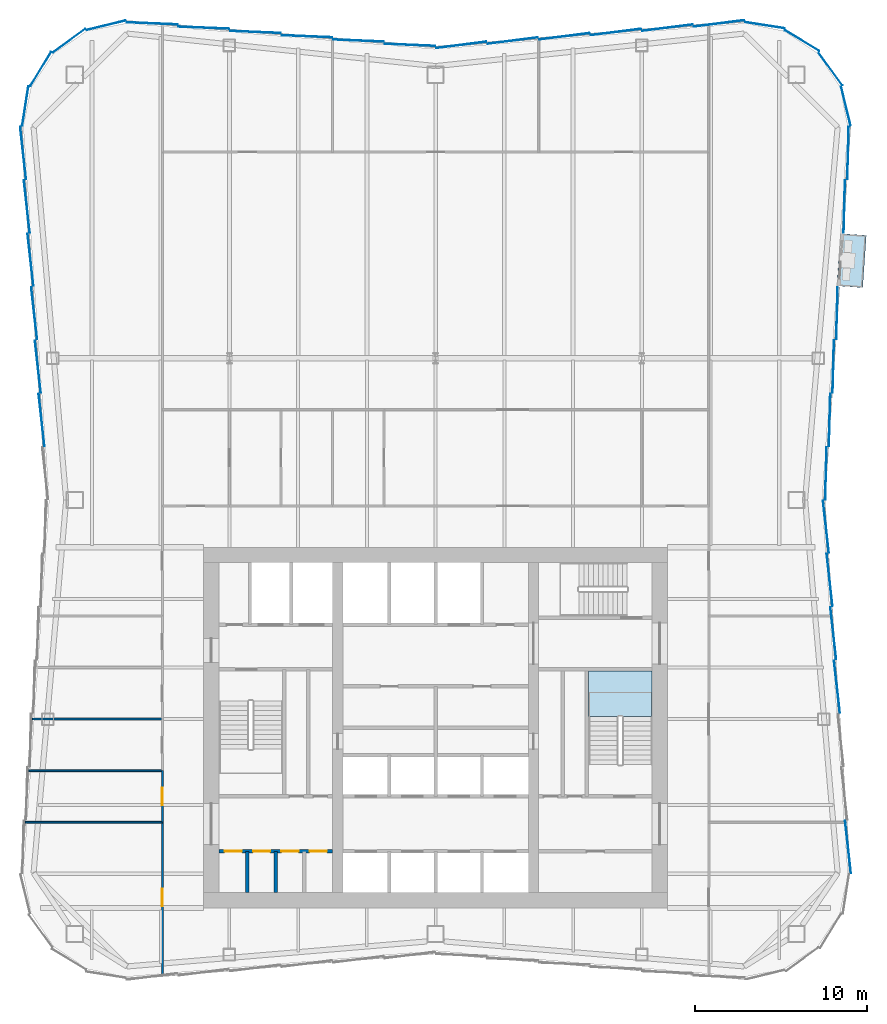
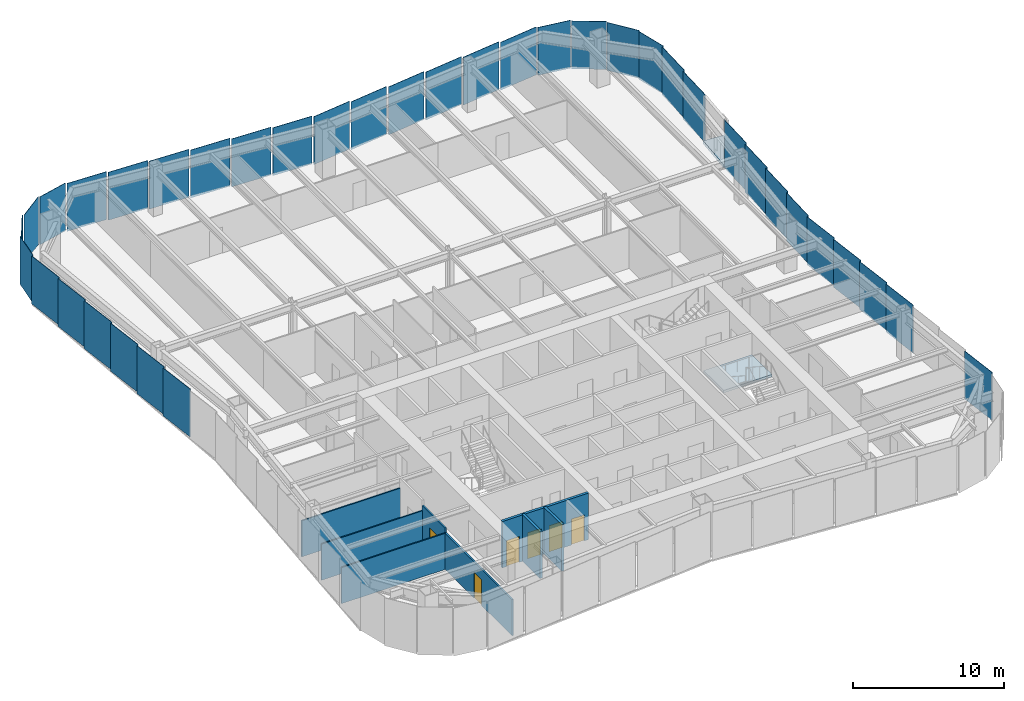
# One storey, part 4 of 10: 37 plates, 8 walls, 6 doors, 2 slabs, 6 openings, 6 elements without a shape of their own.
"""IFC4 building model written with IfcOpenShell, lengths in metres."""

import ifcopenshell
import ifcopenshell.guid

model = None  # the IFC model being written
_history = None  # IfcOwnerHistory: only IFC2X3 demands one
_inside = {}  # id of a spatial element -> (the spatial element, [elements in it])
_under = {}  # id of a project, library or spatial element -> (it, [spatial elements below it])
_declared = {}  # id of a project -> (the project, [libraries it declares])
_typed = {}  # id of a type object -> (the type object, [elements of that type])
_made_of = {}  # id of a material, layer set ... -> (it, [elements and type objects made of it])


def new_model(schema):
    """Start an empty IFC model of exactly this schema.

    Asked for "IFC4X3", IfcOpenShell would pick the latest addendum, in which some entities
    have other attributes; the version numbers below select the first issue.
    IFC2X3 requires an IfcOwnerHistory on every rooted entity: one is made here for all.
    """
    global model, _history
    if schema == "IFC4X3":
        model = ifcopenshell.file(schema_version=(4, 3, 0, 0))
    else:
        model = ifcopenshell.file(schema=schema)
    _inside.clear()
    _under.clear()
    _declared.clear()
    _typed.clear()
    _made_of.clear()
    _history = None
    if model.schema == "IFC2X3":
        org = make("IfcOrganization", Name="unknown")
        user = make(
            "IfcPersonAndOrganization",
            ThePerson=make("IfcPerson", FamilyName="unknown"),
            TheOrganization=org,
        )
        app = make(
            "IfcApplication",
            ApplicationDeveloper=org,
            Version="unknown",
            ApplicationFullName="unknown",
            ApplicationIdentifier="unknown",
        )
        _history = make(
            "IfcOwnerHistory",
            OwningUser=user,
            OwningApplication=app,
            ChangeAction="ADDED",
            CreationDate=0,
        )
    return model


def make(cls, **values):
    """One entity of the class cls with the attributes given. An attribute that is None is left unset."""
    return model.create_entity(
        cls, **{name: value for name, value in values.items() if value is not None}
    )


def rooted(cls, **values):
    """An entity with a GlobalId (a new one), such as an element, a storey or a relation."""
    return make(cls, GlobalId=ifcopenshell.guid.new(), OwnerHistory=_history, **values)


def si_unit(unit_type, name, prefix=None):
    """IfcSIUnit, for example si_unit("LENGTHUNIT", "METRE", prefix="MILLI")."""
    return make("IfcSIUnit", UnitType=unit_type, Prefix=prefix, Name=name)


def assignment(units):
    """IfcUnitAssignment: the units of a project."""
    return None if units is None else make("IfcUnitAssignment", Units=units)


def point(xyz):
    """IfcCartesianPoint."""
    return None if xyz is None else make("IfcCartesianPoint", Coordinates=xyz)


def direction(xyz):
    """IfcDirection."""
    return None if xyz is None else make("IfcDirection", DirectionRatios=xyz)


def frame(location, z_axis=None, x_axis=None):
    """IfcAxis2Placement3D, a coordinate frame: its origin and axes. An axis left out is left unset."""
    return make(
        "IfcAxis2Placement3D",
        Location=point(location),
        Axis=direction(z_axis),
        RefDirection=direction(x_axis),
    )


def frame_2d(location, x_axis=None):
    """IfcAxis2Placement2D, a coordinate frame in the plane: its origin and x axis."""
    return make(
        "IfcAxis2Placement2D", Location=point(location), RefDirection=direction(x_axis)
    )


def origin():
    """The frame at (0, 0, 0) with its axes left unset."""
    return frame((0.0, 0.0, 0.0))


def origin_2d():
    """The frame at (0, 0) in the plane with its x axis left unset."""
    return frame_2d((0.0, 0.0))


def place(relative_to, where):
    """IfcLocalPlacement: puts the frame where relative to a parent placement (None: the world)."""
    return make(
        "IfcLocalPlacement", PlacementRelTo=relative_to, RelativePlacement=where
    )


def context(
    kind, dimensions, precision=None, world=None, true_north=None, identifier=None
):
    """IfcGeometricRepresentationContext, for example the 3D "Model" context."""
    return make(
        "IfcGeometricRepresentationContext",
        ContextIdentifier=identifier,
        ContextType=kind,
        CoordinateSpaceDimension=dimensions,
        Precision=precision,
        WorldCoordinateSystem=world,
        TrueNorth=true_north,
    )


def subcontext(parent, identifier, kind, view, scale=None):
    """IfcGeometricRepresentationSubContext, for example "Body" below "Model"."""
    return make(
        "IfcGeometricRepresentationSubContext",
        ContextIdentifier=identifier,
        ContextType=kind,
        ParentContext=parent,
        TargetScale=scale,
        TargetView=view,
    )


def project(units=None, contexts=None):
    """IfcProject with its units and contexts."""
    return rooted(
        "IfcProject",
        Name="project",
        RepresentationContexts=contexts,
        UnitsInContext=assignment(units),
    )


def spatial(cls, under=None, at=None, **own):
    """A site, building, storey or space (cls), placed at a placement, below another one or the project."""
    s = rooted(cls, ObjectPlacement=at, **own)
    if under is not None:
        _under.setdefault(under.id(), (under, []))[1].append(s)
    return s


def polyline(points):
    """IfcPolyline through the points."""
    return make("IfcPolyline", Points=[point(p) for p in points])


def profile(cls, at=None, kind="AREA", **sizes):
    """A parametric profile (cls). Its sizes go by their IFC names, for example OverallWidth=200.0."""
    return make(cls, ProfileType=kind, Position=at, **sizes)


def rectangle(**sizes):
    """IfcRectangleProfileDef."""
    return profile("IfcRectangleProfileDef", **sizes)


def outline(outer, holes=None, kind="AREA"):
    """IfcArbitraryClosedProfileDef: a profile drawn as a closed curve; with holes, ...WithVoids."""
    if holes is None:
        return make("IfcArbitraryClosedProfileDef", ProfileType=kind, OuterCurve=outer)
    return make(
        "IfcArbitraryProfileDefWithVoids",
        ProfileType=kind,
        OuterCurve=outer,
        InnerCurves=holes,
    )


def extrude(swept, where, along, depth):
    """IfcExtrudedAreaSolid: the profile swept, set in the frame where, extruded along a direction by depth."""
    return make(
        "IfcExtrudedAreaSolid",
        SweptArea=swept,
        Position=where,
        ExtrudedDirection=direction(along),
        Depth=depth,
    )


def shape(context_of_items, identifier, shape_type, items):
    """IfcShapeRepresentation: the items that make up one representation, for example the "Body"."""
    return make(
        "IfcShapeRepresentation",
        ContextOfItems=context_of_items,
        RepresentationIdentifier=identifier,
        RepresentationType=shape_type,
        Items=items,
    )


def material(Name=None, Category=None):
    """IfcMaterial."""
    return make("IfcMaterial", Name=Name, Category=Category)


def layer(
    of_material, thickness, ventilated=None, Name=None, Category=None, Priority=None
):
    """IfcMaterialLayer: one layer of a wall or slab, of a material (None: an air gap)."""
    return make(
        "IfcMaterialLayer",
        Material=of_material,
        LayerThickness=thickness,
        IsVentilated=ventilated,
        Name=Name,
        Category=Category,
        Priority=Priority,
    )


def layer_set(layers, Name=None):
    """IfcMaterialLayerSet."""
    return make("IfcMaterialLayerSet", MaterialLayers=layers, LayerSetName=Name)


def made_of(thing, what):
    """Note that an element or type object is made of a material, layer set ...; save() writes the relation."""
    if what is not None:
        _made_of.setdefault(what.id(), (what, []))[1].append(thing)
    return thing


def type_object(cls, material=None, **own):
    """A type object (cls), such as IfcWallType, which elements share."""
    return made_of(rooted(cls, **own), material)


def element(
    cls,
    number,
    at=None,
    inside=None,
    cuts=None,
    type_object=None,
    material=None,
    context=None,
    identifier="Body",
    shape_type=None,
    held_by="IfcProductDefinitionShape",
    body=None,
    shapes=None,
    **own,
):
    """One element of the class cls, such as IfcWall. Its Tag is "e" and its number.

    at: its placement. inside: the storey or other place that contains it. cuts: it is an
    opening in that element (IfcRelVoidsElement). A single representation is given by context,
    identifier, shape_type and body (its items); several are given by shapes. held_by: the class
    of the entity that holds the representations. save() writes the other relations.
    """
    e = rooted(cls, Tag="e%d" % number, ObjectPlacement=at, **own)
    if body is not None:
        shapes = [shape(context, identifier, shape_type, body)]
    if shapes is not None:
        e.Representation = make(held_by, Representations=shapes)
    if inside is not None:
        _inside.setdefault(inside.id(), (inside, []))[1].append(e)
    if cuts is not None:
        rooted(
            "IfcRelVoidsElement", RelatingBuildingElement=cuts, RelatedOpeningElement=e
        )
    if type_object is not None:
        _typed.setdefault(type_object.id(), (type_object, []))[1].append(e)
    return made_of(e, material)


def fill(opening, filler):
    """IfcRelFillsElement: the door or window that sits in an opening."""
    return rooted(
        "IfcRelFillsElement",
        RelatingOpeningElement=opening,
        RelatedBuildingElement=filler,
    )


def aggregate(whole, parts):
    """IfcRelAggregates: a whole, such as a stair, and the parts it consists of."""
    return rooted("IfcRelAggregates", RelatingObject=whole, RelatedObjects=parts)


def save(model, path):
    """Write the relations noted so far, then the file.

    IfcRelAggregates (storeys below a building ...), IfcRelContainedInSpatialStructure (elements
    in a storey), IfcRelDefinesByType, IfcRelAssociatesMaterial and IfcRelDeclares: one each for
    every whole, place, type object, material and project.
    """
    for whole, parts in _under.values():
        aggregate(whole, parts)
    for where, things in _inside.values():
        rooted(
            "IfcRelContainedInSpatialStructure",
            RelatedElements=things,
            RelatingStructure=where,
        )
    for kind, things in _typed.values():
        rooted("IfcRelDefinesByType", RelatedObjects=things, RelatingType=kind)
    for what, things in _made_of.values():
        rooted("IfcRelAssociatesMaterial", RelatedObjects=things, RelatingMaterial=what)
    for by, libraries in _declared.values():
        rooted("IfcRelDeclares", RelatingContext=by, RelatedDefinitions=libraries)
    model.write(path)


model = new_model("IFC4")

# Units and contexts
model_context = context("Model", 3, precision=1e-05, world=origin(), true_north=direction((0.0, 1.0)))
body_context = subcontext(model_context, "Body", "Model", "MODEL_VIEW")
ifc_project = project(units=[si_unit("LENGTHUNIT", "METRE"), si_unit("AREAUNIT", "SQUARE_METRE"), si_unit("VOLUMEUNIT", "CUBIC_METRE"), si_unit("PLANEANGLEUNIT", "RADIAN"), si_unit("MASSUNIT", "GRAM", prefix="KILO")], contexts=[model_context])

# Site, building, storey
site_placement = place(None, origin())
site = spatial("IfcSite", under=ifc_project, at=site_placement, CompositionType="ELEMENT")
building_placement = place(site_placement, origin())
building = spatial("IfcBuilding", under=site, at=building_placement, Name="Verdant Reach Tower", CompositionType="ELEMENT")
storey_placement = place(building_placement, frame((0.0, 0.0, 222.0)))
storey = spatial("IfcBuildingStorey", under=building, at=storey_placement, Name="L51", CompositionType="ELEMENT", Elevation=222.0)

# Stair, slab
ifc_material_1 = material(Name="Concrete C40/50", Category="concrete")
stair_type = type_object("IfcStairType", Name="CO-STAIR", PredefinedType="HALF_TURN_STAIR", material=ifc_material_1)
stair_placement = place(storey_placement, origin())
stair = element("IfcStair", 1, at=stair_placement, inside=storey, type_object=stair_type, Name="L51 Exit stair 2", PredefinedType="HALF_TURN_STAIR")
ifc_layer_1 = layer(ifc_material_1, 0.199951171875)
ifc_layer_set_1 = layer_set([ifc_layer_1], Name="CO-STAIR-LANDING")
slab_type_1 = type_object("IfcSlabType", Name="CO-STAIR-LANDING", PredefinedType="LANDING", material=ifc_layer_set_1)
slab_1_placement = place(storey_placement, frame((0.0, 0.0, 1.800048828125)))
slab_1 = element("IfcSlab", 2, at=slab_1_placement, type_object=slab_type_1, Name="ST-2 landing 1", PredefinedType="LANDING", context=body_context, shape_type="SweptSolid", body=[
    extrude(outline(polyline([(12.60009765625, 28.64990234375), (12.60009765625, 31.300048828125), (8.89990234375, 31.300048828125), (8.89990234375, 28.64990234375), (12.60009765625, 28.64990234375)])), origin(), (0.0, 0.0, 1.0), 0.199951171875),
])
aggregate(stair, [slab_1])

# Slab
ifc_material_2 = material(Name="Concrete C35/45", Category="concrete")
ifc_layer_2 = layer(ifc_material_2, 0.25)
ifc_layer_set_2 = layer_set([ifc_layer_2], Name="EN-BALCONY SLAB")
slab_type_2 = type_object("IfcSlabType", Name="EN-BALCONY SLAB", PredefinedType="FLOOR", material=ifc_layer_set_2)
slab_2_placement = place(storey_placement, frame((0.0, 0.0, -0.25)))
element("IfcSlab", 3, at=slab_2_placement, inside=storey, type_object=slab_type_2, Name="Balcony slab 1, L51", PredefinedType="FLOOR", context=body_context, shape_type="SweptSolid", body=[
    extrude(outline(polyline([(23.359375, 53.71142578125), (23.569091796875, 56.752685546875), (25.065673828125, 56.649658203125), (24.85595703125, 53.6083984375), (23.359375, 53.71142578125)])), origin(), (0.0, 0.0, 1.0), 0.25),
])

# Curtain wall, plates
ifc_material_3 = material(Name="Anodised aluminium", Category="aluminium")
curtain_wall_type = type_object("IfcCurtainWallType", Name="EN-CW SYSTEM Z3", PredefinedType="NOTDEFINED", material=ifc_material_3)
curtain_wall_1_placement = place(storey_placement, origin())
curtain_wall_1 = element("IfcCurtainWall", 4, at=curtain_wall_1_placement, inside=storey, type_object=curtain_wall_type, Name="Curtain wall east, L51", PredefinedType="NOTDEFINED")
ifc_material_4 = material(Name="Tinted glass with champagne spandrel", Category="glass")
ifc_layer_3 = layer(ifc_material_4, 0.031982421875)
ifc_layer_set_3 = layer_set([ifc_layer_3], Name="EN-PANEL CHAMPAGNE")
plate_type_1 = type_object("IfcPlateType", Name="EN-PANEL CHAMPAGNE", PredefinedType="CURTAIN_PANEL", material=ifc_layer_set_3)
plate_1_placement = place(storey_placement, frame((23.358642578125, 30.382568359375, -0.22412109375), z_axis=(0.0, 0.0, 1.0), x_axis=(-0.110518162674, 0.993874104562, 0.0)))
plate_1 = element("IfcPlate", 5, at=plate_1_placement, type_object=plate_type_1, Name="Glass panel east face part 1 4.1, L51", PredefinedType="CURTAIN_PANEL", context=body_context, shape_type="SweptSolid", body=[
    extrude(rectangle(XDim=3.052490234375, YDim=0.031982421875, at=origin_2d()), origin(), (0.0, 0.0, 1.0), 3.8740234375),
])
plate_2_placement = place(storey_placement, frame((23.14453125, 33.48974609375, -0.22412109375), z_axis=(0.0, 0.0, 1.0), x_axis=(-0.110518162674, 0.993874104562, 0.0)))
plate_2 = element("IfcPlate", 6, at=plate_2_placement, type_object=plate_type_1, Name="Glass panel east face part 1 5.1, L51", PredefinedType="CURTAIN_PANEL", context=body_context, shape_type="SweptSolid", body=[
    extrude(rectangle(XDim=3.052490234375, YDim=0.031982421875, at=origin_2d()), origin(), (0.0, 0.0, 1.0), 3.8740234375),
])
plate_3_placement = place(storey_placement, frame((22.93017578125, 36.5966796875, -0.22412109375), z_axis=(0.0, 0.0, 1.0), x_axis=(-0.110518162674, 0.993874104562, 0.0)))
plate_3 = element("IfcPlate", 7, at=plate_3_placement, type_object=plate_type_1, Name="Glass panel east face part 1 6.1, L51", PredefinedType="CURTAIN_PANEL", context=body_context, shape_type="SweptSolid", body=[
    extrude(rectangle(XDim=3.052490234375, YDim=0.031982421875, at=origin_2d()), origin(), (0.0, 0.0, 1.0), 3.8740234375),
])
plate_4_placement = place(storey_placement, frame((23.787353515625, 58.331787109375, -0.22412109375), z_axis=(0.0, 0.0, 1.0), x_axis=(0.026965318308, 0.999636369691, 0.0)))
plate_4 = element("IfcPlate", 8, at=plate_4_placement, type_object=plate_type_1, Name="Glass panel east face part 2 6.1, L51", PredefinedType="CURTAIN_PANEL", context=body_context, shape_type="SweptSolid", body=[
    extrude(rectangle(XDim=3.052490234375, YDim=0.031982421875, at=origin_2d()), origin(), (0.0, 0.0, 1.0), 3.8740234375),
])
plate_5_placement = place(storey_placement, frame((24.001708984375, 61.446044921875, -0.22412109375), z_axis=(0.0, 0.0, 1.0), x_axis=(0.026659626966, 0.999644568979, 0.0)))
plate_5 = element("IfcPlate", 9, at=plate_5_placement, type_object=plate_type_1, Name="Glass panel east face part 2 7.1, L51", PredefinedType="CURTAIN_PANEL", context=body_context, shape_type="SweptSolid", body=[
    extrude(rectangle(XDim=3.06689453125, YDim=0.031982421875, at=origin_2d()), origin(), (0.0, 0.0, 1.0), 3.8740234375),
])

# Curtain wall, plate
curtain_wall_2_placement = place(storey_placement, origin())
curtain_wall_2 = element("IfcCurtainWall", 10, at=curtain_wall_2_placement, inside=storey, type_object=curtain_wall_type, Name="Curtain wall north-east corner, L51", PredefinedType="NOTDEFINED")
plate_6_placement = place(storey_placement, frame((19.171875, 68.87646484375, -0.22412109375), z_axis=(0.0, 0.0, 1.0), x_axis=(-0.988029071555, 0.154267798848, 0.0)))
plate_6 = element("IfcPlate", 11, at=plate_6_placement, type_object=plate_type_1, Name="Glass panel north-east corner 4.1, L51", PredefinedType="CURTAIN_PANEL", context=body_context, shape_type="SweptSolid", body=[
    extrude(rectangle(XDim=2.3154296875, YDim=0.031982421875, at=origin_2d()), origin(), (0.0, 0.0, 1.0), 3.8740234375),
])

# Curtain wall, plates
curtain_wall_3_placement = place(storey_placement, origin())
curtain_wall_3 = element("IfcCurtainWall", 12, at=curtain_wall_3_placement, inside=storey, type_object=curtain_wall_type, Name="Curtain wall north, L51", PredefinedType="NOTDEFINED")
plate_7_placement = place(storey_placement, frame((10.490966796875, 68.483642578125, -0.22412109375), z_axis=(0.0, 0.0, 1.0), x_axis=(-0.992194034542, -0.124703639961, 0.0)))
plate_7 = element("IfcPlate", 13, at=plate_7_placement, type_object=plate_type_1, Name="Glass panel north face part 1 3.1, L51", PredefinedType="CURTAIN_PANEL", context=body_context, shape_type="SweptSolid", body=[
    extrude(rectangle(XDim=2.948486328125, YDim=0.031982421875, at=origin_2d()), origin(), (0.0, 0.0, 1.0), 3.8740234375),
])
plate_8_placement = place(storey_placement, frame((7.490966796875, 68.233642578125, -0.22412109375), z_axis=(0.0, 0.0, 1.0), x_axis=(-0.992194034542, -0.124703639961, 0.0)))
plate_8 = element("IfcPlate", 14, at=plate_8_placement, type_object=plate_type_1, Name="Glass panel north face part 1 4.1, L51", PredefinedType="CURTAIN_PANEL", context=body_context, shape_type="SweptSolid", body=[
    extrude(rectangle(XDim=2.948486328125, YDim=0.031982421875, at=origin_2d()), origin(), (0.0, 0.0, 1.0), 3.8740234375),
])
plate_9_placement = place(storey_placement, frame((-10.490966796875, 68.483642578125, -0.22412109375), z_axis=(0.0, 0.0, 1.0), x_axis=(-0.999149202059, 0.041241629766, 0.0)))
plate_9 = element("IfcPlate", 15, at=plate_9_placement, type_object=plate_type_1, Name="Glass panel north face part 2 4.1, L51", PredefinedType="CURTAIN_PANEL", context=body_context, shape_type="SweptSolid", body=[
    extrude(rectangle(XDim=2.948486328125, YDim=0.031982421875, at=origin_2d()), origin(), (0.0, 0.0, 1.0), 3.8740234375),
])
plate_10_placement = place(storey_placement, frame((-13.490966796875, 68.733642578125, -0.22412109375), z_axis=(0.0, 0.0, 1.0), x_axis=(-0.999149202059, 0.041241629766, 0.0)))
plate_10 = element("IfcPlate", 16, at=plate_10_placement, type_object=plate_type_1, Name="Glass panel north face part 2 5.1, L51", PredefinedType="CURTAIN_PANEL", context=body_context, shape_type="SweptSolid", body=[
    extrude(rectangle(XDim=2.948486328125, YDim=0.031982421875, at=origin_2d()), origin(), (0.0, 0.0, 1.0), 3.8740234375),
])
plate_11_placement = place(storey_placement, frame((-16.49853515625, 68.983642578125, -0.22412109375), z_axis=(0.0, 0.0, 1.0), x_axis=(-0.999163623568, 0.040890748818, 0.0)))
plate_11 = element("IfcPlate", 17, at=plate_11_placement, type_object=plate_type_1, Name="Glass panel north face part 2 6.1, L51", PredefinedType="CURTAIN_PANEL", context=body_context, shape_type="SweptSolid", body=[
    extrude(rectangle(XDim=2.963623046875, YDim=0.031982421875, at=origin_2d()), origin(), (0.0, 0.0, 1.0), 3.8740234375),
])

curtain_wall_4_placement = place(storey_placement, origin())
curtain_wall_4 = element("IfcCurtainWall", 18, at=curtain_wall_4_placement, inside=storey, type_object=curtain_wall_type, Name="Curtain wall north-west corner, L51", PredefinedType="NOTDEFINED")
plate_12_placement = place(storey_placement, frame((-22.98193359375, 66.328857421875, -0.22412109375), z_axis=(0.0, 0.0, 1.0), x_axis=(-0.520291550457, -0.853988701636, 0.0)))
plate_12 = element("IfcPlate", 19, at=plate_12_placement, type_object=plate_type_1, Name="Glass panel north-west corner 3.1, L51", PredefinedType="CURTAIN_PANEL", context=body_context, shape_type="SweptSolid", body=[
    extrude(rectangle(XDim=2.321533203125, YDim=0.031982421875, at=origin_2d()), origin(), (0.0, 0.0, 1.0), 3.8740234375),
])
plate_13_placement = place(storey_placement, frame((-23.87646484375, 64.17236328125, -0.22412109375), z_axis=(0.0, 0.0, 1.0), x_axis=(-0.154311870796, -0.988022189291, 0.0)))
plate_13 = element("IfcPlate", 20, at=plate_13_placement, type_object=plate_type_1, Name="Glass panel north-west corner 4.1, L51", PredefinedType="CURTAIN_PANEL", context=body_context, shape_type="SweptSolid", body=[
    extrude(rectangle(XDim=2.314697265625, YDim=0.031982421875, at=origin_2d()), origin(), (0.0, 0.0, 1.0), 3.8740234375),
])

curtain_wall_5_placement = place(storey_placement, origin())
curtain_wall_5 = element("IfcCurtainWall", 21, at=curtain_wall_5_placement, inside=storey, type_object=curtain_wall_type, Name="Curtain wall west, L51", PredefinedType="NOTDEFINED")
plate_14_placement = place(storey_placement, frame((-24.001708984375, 61.446044921875, -0.22412109375), z_axis=(0.0, 0.0, 1.0), x_axis=(0.110214229533, -0.993907854687, 0.0)))
plate_14 = element("IfcPlate", 22, at=plate_14_placement, type_object=plate_type_1, Name="Glass panel west face part 1 1.1, L51", PredefinedType="CURTAIN_PANEL", context=body_context, shape_type="SweptSolid", body=[
    extrude(rectangle(XDim=3.06689453125, YDim=0.031982421875, at=origin_2d()), origin(), (0.0, 0.0, 1.0), 3.8740234375),
])
plate_15_placement = place(storey_placement, frame((-23.787353515625, 58.331787109375, -0.22412109375), z_axis=(0.0, 0.0, 1.0), x_axis=(0.110518162674, -0.993874104562, 0.0)))
plate_15 = element("IfcPlate", 23, at=plate_15_placement, type_object=plate_type_1, Name="Glass panel west face part 1 2.1, L51", PredefinedType="CURTAIN_PANEL", context=body_context, shape_type="SweptSolid", body=[
    extrude(rectangle(XDim=3.052490234375, YDim=0.031982421875, at=origin_2d()), origin(), (0.0, 0.0, 1.0), 3.8740234375),
])

# Plate
ifc_material_5 = material(Name="Tinted glass with copper spandrel", Category="glass")
ifc_layer_4 = layer(ifc_material_5, 0.031982421875)
ifc_layer_set_4 = layer_set([ifc_layer_4], Name="EN-PANEL COPPER")
plate_type_2 = type_object("IfcPlateType", Name="EN-PANEL COPPER", PredefinedType="CURTAIN_PANEL", material=ifc_layer_set_4)
plate_16_placement = place(storey_placement, frame((24.001708984375, 21.053955078125, -0.22412109375), z_axis=(0.0, 0.0, 1.0), x_axis=(-0.110214229533, 0.993907854687, 0.0)))
plate_16 = element("IfcPlate", 24, at=plate_16_placement, type_object=plate_type_2, Name="Glass panel east face part 1 1.1, L51", PredefinedType="CURTAIN_PANEL", context=body_context, shape_type="SweptSolid", body=[
    extrude(rectangle(XDim=3.06689453125, YDim=0.031982421875, at=origin_2d()), origin(), (0.0, 0.0, 1.0), 3.8740234375),
])

plate_17_placement = place(storey_placement, frame((22.716064453125, 39.7001953125, -0.22412109375), z_axis=(0.0, 0.0, 1.0), x_axis=(-0.110600785385, 0.993864913493, 0.0)))
plate_17 = element("IfcPlate", 25, at=plate_17_placement, type_object=plate_type_2, Name="Glass panel east face part 1 7.1, L51", PredefinedType="CURTAIN_PANEL", context=body_context, shape_type="SweptSolid", body=[
    extrude(rectangle(XDim=3.044921875, YDim=0.031982421875, at=origin_2d()), origin(), (0.0, 0.0, 1.0), 3.8740234375),
])

plate_18_placement = place(storey_placement, frame((22.716064453125, 42.7998046875, -0.22412109375), z_axis=(0.0, 0.0, 1.0), x_axis=(0.027048420339, 0.999634124546, 0.0)))
plate_18 = element("IfcPlate", 26, at=plate_18_placement, type_object=plate_type_2, Name="Glass panel east face part 2 1.1, L51", PredefinedType="CURTAIN_PANEL", context=body_context, shape_type="SweptSolid", body=[
    extrude(rectangle(XDim=3.044921875, YDim=0.031982421875, at=origin_2d()), origin(), (0.0, 0.0, 1.0), 3.8740234375),
])

plate_19_placement = place(storey_placement, frame((22.93017578125, 45.9033203125, -0.22412109375), z_axis=(0.0, 0.0, 1.0), x_axis=(0.026965318308, 0.999636369691, 0.0)))
plate_19 = element("IfcPlate", 27, at=plate_19_placement, type_object=plate_type_2, Name="Glass panel east face part 2 2.1, L51", PredefinedType="CURTAIN_PANEL", context=body_context, shape_type="SweptSolid", body=[
    extrude(rectangle(XDim=3.052490234375, YDim=0.031982421875, at=origin_2d()), origin(), (0.0, 0.0, 1.0), 3.8740234375),
])

plate_20_placement = place(storey_placement, frame((23.87646484375, 64.17236328125, -0.22412109375), z_axis=(0.0, 0.0, 1.0), x_axis=(-0.23644624331, 0.97164457186, 0.0)))
plate_20 = element("IfcPlate", 28, at=plate_20_placement, type_object=plate_type_2, Name="Glass panel north-east corner 1.1, L51", PredefinedType="CURTAIN_PANEL", context=body_context, shape_type="SweptSolid", body=[
    extrude(rectangle(XDim=2.314697265625, YDim=0.031982421875, at=origin_2d()), origin(), (0.0, 0.0, 1.0), 3.8740234375),
])

plate_21_placement = place(storey_placement, frame((4.490966796875, 67.983642578125, -0.22412109375), z_axis=(0.0, 0.0, 1.0), x_axis=(-0.992194034542, -0.124703639961, 0.0)))
plate_21 = element("IfcPlate", 29, at=plate_21_placement, type_object=plate_type_2, Name="Glass panel north face part 1 5.1, L51", PredefinedType="CURTAIN_PANEL", context=body_context, shape_type="SweptSolid", body=[
    extrude(rectangle(XDim=2.948486328125, YDim=0.031982421875, at=origin_2d()), origin(), (0.0, 0.0, 1.0), 3.8740234375),
])

plate_22_placement = place(storey_placement, frame((1.495361328125, 67.73388671875, -0.22412109375), z_axis=(0.0, 0.0, 1.0), x_axis=(-0.992178382939, -0.124828107529, 0.0)))
plate_22 = element("IfcPlate", 30, at=plate_22_placement, type_object=plate_type_2, Name="Glass panel north face part 1 6.1, L51", PredefinedType="CURTAIN_PANEL", context=body_context, shape_type="SweptSolid", body=[
    extrude(rectangle(XDim=2.939453125, YDim=0.031982421875, at=origin_2d()), origin(), (0.0, 0.0, 1.0), 3.8740234375),
])

plate_23_placement = place(storey_placement, frame((-1.495361328125, 67.73388671875, -0.22412109375), z_axis=(0.0, 0.0, 1.0), x_axis=(-0.999144020525, 0.041366970501, 0.0)))
plate_23 = element("IfcPlate", 31, at=plate_23_placement, type_object=plate_type_2, Name="Glass panel north face part 2 1.1, L51", PredefinedType="CURTAIN_PANEL", context=body_context, shape_type="SweptSolid", body=[
    extrude(rectangle(XDim=2.939453125, YDim=0.031982421875, at=origin_2d()), origin(), (0.0, 0.0, 1.0), 3.8740234375),
])

plate_24_placement = place(storey_placement, frame((-23.572998046875, 55.224609375, -0.22412109375), z_axis=(0.0, 0.0, 1.0), x_axis=(0.110518162674, -0.993874104562, 0.0)))
plate_24 = element("IfcPlate", 32, at=plate_24_placement, type_object=plate_type_2, Name="Glass panel west face part 1 3.1, L51", PredefinedType="CURTAIN_PANEL", context=body_context, shape_type="SweptSolid", body=[
    extrude(rectangle(XDim=3.052490234375, YDim=0.031982421875, at=origin_2d()), origin(), (0.0, 0.0, 1.0), 3.8740234375),
])

plate_25_placement = place(storey_placement, frame((-23.358642578125, 52.117431640625, -0.22412109375), z_axis=(0.0, 0.0, 1.0), x_axis=(0.110518162674, -0.993874104562, 0.0)))
plate_25 = element("IfcPlate", 33, at=plate_25_placement, type_object=plate_type_2, Name="Glass panel west face part 1 4.1, L51", PredefinedType="CURTAIN_PANEL", context=body_context, shape_type="SweptSolid", body=[
    extrude(rectangle(XDim=3.052490234375, YDim=0.031982421875, at=origin_2d()), origin(), (0.0, 0.0, 1.0), 3.8740234375),
])

plate_26_placement = place(storey_placement, frame((-23.14453125, 49.01025390625, -0.22412109375), z_axis=(0.0, 0.0, 1.0), x_axis=(0.110518162674, -0.993874104562, 0.0)))
plate_26 = element("IfcPlate", 34, at=plate_26_placement, type_object=plate_type_2, Name="Glass panel west face part 1 5.1, L51", PredefinedType="CURTAIN_PANEL", context=body_context, shape_type="SweptSolid", body=[
    extrude(rectangle(XDim=3.052490234375, YDim=0.031982421875, at=origin_2d()), origin(), (0.0, 0.0, 1.0), 3.8740234375),
])

ifc_material_6 = material(Name="Tinted glass with dark bronze spandrel", Category="glass")
ifc_layer_5 = layer(ifc_material_6, 0.031982421875)
ifc_layer_set_5 = layer_set([ifc_layer_5], Name="EN-PANEL DARK")
plate_type_3 = type_object("IfcPlateType", Name="EN-PANEL DARK", PredefinedType="CURTAIN_PANEL", material=ifc_layer_set_5)
plate_27_placement = place(storey_placement, frame((23.14453125, 49.01025390625, -0.22412109375), z_axis=(0.0, 0.0, 1.0), x_axis=(0.026965318308, 0.999636369691, 0.0)))
plate_27 = element("IfcPlate", 35, at=plate_27_placement, type_object=plate_type_3, Name="Glass panel east face part 2 3.1, L51", PredefinedType="CURTAIN_PANEL", context=body_context, shape_type="SweptSolid", body=[
    extrude(rectangle(XDim=3.052490234375, YDim=0.031982421875, at=origin_2d()), origin(), (0.0, 0.0, 1.0), 3.8740234375),
])

plate_28_placement = place(storey_placement, frame((23.358642578125, 52.117431640625, -0.22412109375), z_axis=(0.0, 0.0, 1.0), x_axis=(0.026965318308, 0.999636369691, 0.0)))
plate_28 = element("IfcPlate", 36, at=plate_28_placement, type_object=plate_type_3, Name="Glass panel east face part 2 4.1, L51", PredefinedType="CURTAIN_PANEL", context=body_context, shape_type="SweptSolid", body=[
    extrude(rectangle(XDim=3.052490234375, YDim=0.031982421875, at=origin_2d()), origin(), (0.0, 0.0, 1.0), 3.8740234375),
])

aggregate(curtain_wall_1, [plate_16, plate_1, plate_2, plate_3, plate_17, plate_18, plate_19, plate_27, plate_28, plate_4, plate_5])

plate_29_placement = place(storey_placement, frame((22.98193359375, 66.328857421875, -0.22412109375), z_axis=(0.0, 0.0, 1.0), x_axis=(-0.589926747542, 0.807456768214, 0.0)))
plate_29 = element("IfcPlate", 37, at=plate_29_placement, type_object=plate_type_3, Name="Glass panel north-east corner 2.1, L51", PredefinedType="CURTAIN_PANEL", context=body_context, shape_type="SweptSolid", body=[
    extrude(rectangle(XDim=2.321533203125, YDim=0.031982421875, at=origin_2d()), origin(), (0.0, 0.0, 1.0), 3.8740234375),
])

plate_30_placement = place(storey_placement, frame((21.328857421875, 67.98193359375, -0.22412109375), z_axis=(0.0, 0.0, 1.0), x_axis=(-0.853988701636, 0.520291550457, 0.0)))
plate_30 = element("IfcPlate", 38, at=plate_30_placement, type_object=plate_type_3, Name="Glass panel north-east corner 3.1, L51", PredefinedType="CURTAIN_PANEL", context=body_context, shape_type="SweptSolid", body=[
    extrude(rectangle(XDim=2.321533203125, YDim=0.031982421875, at=origin_2d()), origin(), (0.0, 0.0, 1.0), 3.8740234375),
])

aggregate(curtain_wall_2, [plate_20, plate_29, plate_30, plate_6])

plate_31_placement = place(storey_placement, frame((16.49853515625, 68.983642578125, -0.22412109375), z_axis=(0.0, 0.0, 1.0), x_axis=(-0.992237766434, -0.124355196363, 0.0)))
plate_31 = element("IfcPlate", 39, at=plate_31_placement, type_object=plate_type_3, Name="Glass panel north face part 1 1.1, L51", PredefinedType="CURTAIN_PANEL", context=body_context, shape_type="SweptSolid", body=[
    extrude(rectangle(XDim=2.963623046875, YDim=0.031982421875, at=origin_2d()), origin(), (0.0, 0.0, 1.0), 3.8740234375),
])

plate_32_placement = place(storey_placement, frame((13.490966796875, 68.733642578125, -0.22412109375), z_axis=(0.0, 0.0, 1.0), x_axis=(-0.992194034542, -0.124703639961, 0.0)))
plate_32 = element("IfcPlate", 40, at=plate_32_placement, type_object=plate_type_3, Name="Glass panel north face part 1 2.1, L51", PredefinedType="CURTAIN_PANEL", context=body_context, shape_type="SweptSolid", body=[
    extrude(rectangle(XDim=2.948486328125, YDim=0.031982421875, at=origin_2d()), origin(), (0.0, 0.0, 1.0), 3.8740234375),
])

plate_33_placement = place(storey_placement, frame((-4.490966796875, 67.983642578125, -0.22412109375), z_axis=(0.0, 0.0, 1.0), x_axis=(-0.999149202059, 0.041241629766, 0.0)))
plate_33 = element("IfcPlate", 41, at=plate_33_placement, type_object=plate_type_3, Name="Glass panel north face part 2 2.1, L51", PredefinedType="CURTAIN_PANEL", context=body_context, shape_type="SweptSolid", body=[
    extrude(rectangle(XDim=2.948486328125, YDim=0.031982421875, at=origin_2d()), origin(), (0.0, 0.0, 1.0), 3.8740234375),
])

plate_34_placement = place(storey_placement, frame((-7.490966796875, 68.233642578125, -0.22412109375), z_axis=(0.0, 0.0, 1.0), x_axis=(-0.999149202059, 0.041241629766, 0.0)))
plate_34 = element("IfcPlate", 42, at=plate_34_placement, type_object=plate_type_3, Name="Glass panel north face part 2 3.1, L51", PredefinedType="CURTAIN_PANEL", context=body_context, shape_type="SweptSolid", body=[
    extrude(rectangle(XDim=2.948486328125, YDim=0.031982421875, at=origin_2d()), origin(), (0.0, 0.0, 1.0), 3.8740234375),
])

aggregate(curtain_wall_3, [plate_31, plate_32, plate_7, plate_8, plate_21, plate_22, plate_23, plate_33, plate_34, plate_9, plate_10, plate_11])

plate_35_placement = place(storey_placement, frame((-19.171875, 68.87646484375, -0.22412109375), z_axis=(0.0, 0.0, 1.0), x_axis=(-0.971655117833, -0.236402901821, 0.0)))
plate_35 = element("IfcPlate", 43, at=plate_35_placement, type_object=plate_type_3, Name="Glass panel north-west corner 1.1, L51", PredefinedType="CURTAIN_PANEL", context=body_context, shape_type="SweptSolid", body=[
    extrude(rectangle(XDim=2.3154296875, YDim=0.031982421875, at=origin_2d()), origin(), (0.0, 0.0, 1.0), 3.8740234375),
])

plate_36_placement = place(storey_placement, frame((-21.328857421875, 67.98193359375, -0.22412109375), z_axis=(0.0, 0.0, 1.0), x_axis=(-0.807456768214, -0.589926747542, 0.0)))
plate_36 = element("IfcPlate", 44, at=plate_36_placement, type_object=plate_type_3, Name="Glass panel north-west corner 2.1, L51", PredefinedType="CURTAIN_PANEL", context=body_context, shape_type="SweptSolid", body=[
    extrude(rectangle(XDim=2.321533203125, YDim=0.031982421875, at=origin_2d()), origin(), (0.0, 0.0, 1.0), 3.8740234375),
])

aggregate(curtain_wall_4, [plate_35, plate_36, plate_12, plate_13])

plate_37_placement = place(storey_placement, frame((-22.93017578125, 45.9033203125, -0.22412109375), z_axis=(0.0, 0.0, 1.0), x_axis=(0.110518162674, -0.993874104562, 0.0)))
plate_37 = element("IfcPlate", 45, at=plate_37_placement, type_object=plate_type_3, Name="Glass panel west face part 1 6.1, L51", PredefinedType="CURTAIN_PANEL", context=body_context, shape_type="SweptSolid", body=[
    extrude(rectangle(XDim=3.052490234375, YDim=0.031982421875, at=origin_2d()), origin(), (0.0, 0.0, 1.0), 3.8740234375),
])

aggregate(curtain_wall_5, [plate_14, plate_15, plate_24, plate_25, plate_26, plate_37])

# Wall, openings, doors
ifc_material_7 = material(Name="Gypsum board on steel studs", Category="steel")
ifc_layer_6 = layer(ifc_material_7, 0.199951171875)
ifc_layer_set_6 = layer_set([ifc_layer_6], Name="CO-WALL-ROOM")
wall_type_1 = type_object("IfcWallType", Name="CO-WALL-ROOM", PredefinedType="PARTITIONING", material=ifc_layer_set_6)
wall_1_placement = place(storey_placement, frame((-12.60009765625, 20.800048828125, 0.0), z_axis=(0.0, 0.0, 1.0), x_axis=(1.0, 0.0, 0.0)))
wall_1 = element("IfcWall", 46, at=wall_1_placement, inside=storey, type_object=wall_type_1, Name="Core partition, L51", PredefinedType="PARTITIONING", context=body_context, shape_type="SweptSolid", body=[
    extrude(rectangle(XDim=6.60009765625, YDim=0.199951171875, at=frame_2d((3.300048828125, 0.0))), origin(), (0.0, 0.0, 1.0), 3.75),
])
opening_1_placement = place(wall_1_placement, frame((0.324951171875, 0.0, 0.0)))
opening_1 = element("IfcOpeningElement", 47, at=opening_1_placement, cuts=wall_1, Name="Opening CD", PredefinedType="OPENING", context=body_context, shape_type="SweptSolid", body=[
    extrude(rectangle(XDim=1.0, YDim=2.10009765625, at=frame_2d((0.5, 1.050048828125))), frame((0.0, 0.10986328125, 0.0), z_axis=(0.0, -1.0, 0.0), x_axis=(1.0, 0.0, 0.0)), (0.0, 0.0, 1.0), 0.219970703125),
])
opening_2_placement = place(wall_1_placement, frame((1.97509765625, 0.0, 0.0)))
opening_2 = element("IfcOpeningElement", 48, at=opening_2_placement, cuts=wall_1, Name="Opening CD", PredefinedType="OPENING", context=body_context, shape_type="SweptSolid", body=[
    extrude(rectangle(XDim=1.0, YDim=2.10009765625, at=frame_2d((0.5, 1.050048828125))), frame((0.0, 0.10986328125, 0.0), z_axis=(0.0, -1.0, 0.0), x_axis=(1.0, 0.0, 0.0)), (0.0, 0.0, 1.0), 0.219970703125),
])
opening_3_placement = place(wall_1_placement, frame((3.625, 0.0, 0.0)))
opening_3 = element("IfcOpeningElement", 49, at=opening_3_placement, cuts=wall_1, Name="Opening CD", PredefinedType="OPENING", context=body_context, shape_type="SweptSolid", body=[
    extrude(rectangle(XDim=1.0, YDim=2.10009765625, at=frame_2d((0.5, 1.050048828125))), frame((0.0, 0.10986328125, 0.0), z_axis=(0.0, -1.0, 0.0), x_axis=(1.0, 0.0, 0.0)), (0.0, 0.0, 1.0), 0.219970703125),
])
opening_4_placement = place(wall_1_placement, frame((5.27490234375, 0.0, 0.0)))
opening_4 = element("IfcOpeningElement", 50, at=opening_4_placement, cuts=wall_1, Name="Opening CD", PredefinedType="OPENING", context=body_context, shape_type="SweptSolid", body=[
    extrude(rectangle(XDim=1.0, YDim=2.10009765625, at=frame_2d((0.5, 1.050048828125))), frame((0.0, 0.10986328125, 0.0), z_axis=(0.0, -1.0, 0.0), x_axis=(1.0, 0.0, 0.0)), (0.0, 0.0, 1.0), 0.219970703125),
])
ifc_material_8 = material(Name="Timber", Category="wood")
door_type_1 = type_object("IfcDoorType", Name="CO-DOOR-ROOM", OperationType="NOTDEFINED", PredefinedType="DOOR", material=ifc_material_8)
door_1_placement = place(opening_1_placement, origin())
door_1 = element("IfcDoor", 51, at=door_1_placement, inside=storey, type_object=door_type_1, Name="Core room door, L51", OperationType="SINGLE_SWING_RIGHT", OverallHeight=2.10009765625, OverallWidth=1.0, PredefinedType="DOOR", context=body_context, shape_type="SweptSolid", body=[
    extrude(rectangle(XDim=1.0, YDim=2.10009765625, at=frame_2d((0.5, 1.050048828125))), frame((0.0, 0.02490234375, 0.0), z_axis=(0.0, -1.0, 0.0), x_axis=(1.0, 0.0, 0.0)), (0.0, 0.0, 1.0), 0.050048828125),
])
fill(opening_1, door_1)
door_2_placement = place(opening_2_placement, origin())
door_2 = element("IfcDoor", 52, at=door_2_placement, inside=storey, type_object=door_type_1, Name="Core room door, L51", OperationType="SINGLE_SWING_RIGHT", OverallHeight=2.10009765625, OverallWidth=1.0, PredefinedType="DOOR", context=body_context, shape_type="SweptSolid", body=[
    extrude(rectangle(XDim=1.0, YDim=2.10009765625, at=frame_2d((0.5, 1.050048828125))), frame((0.0, 0.02490234375, 0.0), z_axis=(0.0, -1.0, 0.0), x_axis=(1.0, 0.0, 0.0)), (0.0, 0.0, 1.0), 0.050048828125),
])
fill(opening_2, door_2)
door_3_placement = place(opening_3_placement, origin())
door_3 = element("IfcDoor", 53, at=door_3_placement, inside=storey, type_object=door_type_1, Name="Core room door, L51", OperationType="SINGLE_SWING_LEFT", OverallHeight=2.10009765625, OverallWidth=1.0, PredefinedType="DOOR", context=body_context, shape_type="SweptSolid", body=[
    extrude(rectangle(XDim=1.0, YDim=2.10009765625, at=frame_2d((0.5, 1.050048828125))), frame((0.0, 0.02490234375, 0.0), z_axis=(0.0, -1.0, 0.0), x_axis=(1.0, 0.0, 0.0)), (0.0, 0.0, 1.0), 0.050048828125),
])
fill(opening_3, door_3)
door_4_placement = place(opening_4_placement, origin())
door_4 = element("IfcDoor", 54, at=door_4_placement, inside=storey, type_object=door_type_1, Name="Core room door, L51", OperationType="SINGLE_SWING_LEFT", OverallHeight=2.10009765625, OverallWidth=1.0, PredefinedType="DOOR", context=body_context, shape_type="SweptSolid", body=[
    extrude(rectangle(XDim=1.0, YDim=2.10009765625, at=frame_2d((0.5, 1.050048828125))), frame((0.0, 0.02490234375, 0.0), z_axis=(0.0, -1.0, 0.0), x_axis=(1.0, 0.0, 0.0)), (0.0, 0.0, 1.0), 0.050048828125),
])
fill(opening_4, door_4)

# Walls
for number, where, z_axis, x_axis, name in (
    (55, (-10.949951171875, 18.39990234375, 0.0), (0.0, 0.0, 1.0), (0.0, 1.0, 0.0), "Core partition, L51"),
    (56, (-9.300048828125, 18.39990234375, 0.0), (0.0, 0.0, 1.0), (0.0, 1.0, 0.0), "Core partition, L51"),
):
    element("IfcWall", number, at=place(storey_placement, frame(where, z_axis=z_axis, x_axis=x_axis)), inside=storey, type_object=wall_type_1, Name=name, PredefinedType="PARTITIONING", context=body_context, shape_type="SweptSolid", body=[
        extrude(rectangle(XDim=2.400146484375, YDim=0.199951171875, at=frame_2d((1.2001953125, 0.0))), origin(), (0.0, 0.0, 1.0), 3.75),
    ])
ifc_layer_7 = layer(ifc_material_7, 0.10009765625)
ifc_layer_set_7 = layer_set([ifc_layer_7], Name="FL-W1 Partition 100")
wall_type_2 = type_object("IfcWallType", Name="FL-W1 Partition 100", PredefinedType="PARTITIONING", material=ifc_layer_set_7)
wall_2_placement = place(storey_placement, frame((-15.89990234375, 22.5, 0.0), z_axis=(0.0, 0.0, 1.0), x_axis=(-1.0, 0.0, 0.0)))
element("IfcWall", 57, at=wall_2_placement, inside=storey, type_object=wall_type_2, Name="Partition 51.38", PredefinedType="PARTITIONING", context=body_context, shape_type="SweptSolid", body=[
    extrude(rectangle(XDim=7.97314453125, YDim=0.10009765625, at=frame_2d((3.986572265625, 0.0))), origin(), (0.0, 0.0, 1.0), 2.919921875),
])
wall_3_placement = place(storey_placement, frame((-15.89990234375, 25.5, 0.0), z_axis=(0.0, 0.0, 1.0), x_axis=(-1.0, 0.0, 0.0)))
element("IfcWall", 58, at=wall_3_placement, inside=storey, type_object=wall_type_2, Name="Partition 51.39", PredefinedType="PARTITIONING", context=body_context, shape_type="SweptSolid", body=[
    extrude(rectangle(XDim=7.766357421875, YDim=0.10009765625, at=frame_2d((3.88330078125, 0.0))), origin(), (0.0, 0.0, 1.0), 2.919921875),
])
wall_4_placement = place(storey_placement, frame((-15.89990234375, 28.5, 0.0), z_axis=(0.0, 0.0, 1.0), x_axis=(-1.0, 0.0, 0.0)))
element("IfcWall", 59, at=wall_4_placement, inside=storey, type_object=wall_type_2, Name="Partition 51.40", PredefinedType="PARTITIONING", context=body_context, shape_type="SweptSolid", body=[
    extrude(rectangle(XDim=7.559326171875, YDim=0.10009765625, at=frame_2d((3.77978515625, 0.0))), origin(), (0.0, 0.0, 1.0), 2.919921875),
])

# Wall, opening, door
ifc_material_9 = material(Name="Gypsum board on steel studs, fire rated", Category="steel")
ifc_layer_8 = layer(ifc_material_9, 0.125)
ifc_layer_set_8 = layer_set([ifc_layer_8], Name="FL-W2 Corridor wall 125")
wall_type_3 = type_object("IfcWallType", Name="FL-W2 Corridor wall 125", PredefinedType="PARTITIONING", material=ifc_layer_set_8)
wall_5_placement = place(storey_placement, frame((-15.89990234375, 13.594970703125, 0.0), z_axis=(0.0, 0.0, 1.0), x_axis=(0.0, 1.0, 0.0)))
wall_5 = element("IfcWall", 60, at=wall_5_placement, inside=storey, type_object=wall_type_3, Name="Partition 51.07", PredefinedType="PARTITIONING", context=body_context, shape_type="SweptSolid", body=[
    extrude(rectangle(XDim=8.905029296875, YDim=0.125, at=frame_2d((4.45263671875, 0.0))), origin(), (0.0, 0.0, 1.0), 2.919921875),
])
opening_5_placement = place(wall_5_placement, frame((4.017578125, 0.0, 0.0)))
opening_5 = element("IfcOpeningElement", 61, at=opening_5_placement, cuts=wall_5, Name="Opening D2", PredefinedType="OPENING", context=body_context, shape_type="SweptSolid", body=[
    extrude(rectangle(XDim=1.0, YDim=2.10009765625, at=frame_2d((0.5, 1.050048828125))), frame((0.0, 0.072509765625, 0.0), z_axis=(0.0, -1.0, 0.0), x_axis=(1.0, 0.0, 0.0)), (0.0, 0.0, 1.0), 0.14501953125),
])
ifc_material_10 = material(Name="Timber door leaf, fire rated", Category="wood")
door_type_2 = type_object("IfcDoorType", Name="FL-D2 Entrance door 1000x2100 FD30", OperationType="NOTDEFINED", PredefinedType="DOOR", material=ifc_material_10)
door_5_placement = place(opening_5_placement, origin())
door_5 = element("IfcDoor", 62, at=door_5_placement, inside=storey, type_object=door_type_2, Name="Door 51-004", OperationType="SINGLE_SWING_RIGHT", OverallHeight=2.10009765625, OverallWidth=1.0, PredefinedType="DOOR", context=body_context, shape_type="SweptSolid", body=[
    extrude(rectangle(XDim=1.0, YDim=2.10009765625, at=frame_2d((0.5, 1.050048828125))), frame((0.0, 0.02490234375, 0.0), z_axis=(0.0, -1.0, 0.0), x_axis=(1.0, 0.0, 0.0)), (0.0, 0.0, 1.0), 0.050048828125),
])
fill(opening_5, door_5)

wall_6_placement = place(storey_placement, frame((-15.89990234375, 22.5, 0.0), z_axis=(0.0, 0.0, 1.0), x_axis=(0.0, 1.0, 0.0)))
wall_6 = element("IfcWall", 63, at=wall_6_placement, inside=storey, type_object=wall_type_3, Name="Partition 51.08", PredefinedType="PARTITIONING", context=body_context, shape_type="SweptSolid", body=[
    extrude(rectangle(XDim=3.0, YDim=0.125, at=frame_2d((1.5, 0.0))), origin(), (0.0, 0.0, 1.0), 3.320068359375),
])
opening_6_placement = place(wall_6_placement, frame((1.0, 0.0, 0.0)))
opening_6 = element("IfcOpeningElement", 64, at=opening_6_placement, cuts=wall_6, Name="Opening D2", PredefinedType="OPENING", context=body_context, shape_type="SweptSolid", body=[
    extrude(rectangle(XDim=1.0, YDim=2.10009765625, at=frame_2d((0.5, 1.050048828125))), frame((0.0, 0.072509765625, 0.0), z_axis=(0.0, -1.0, 0.0), x_axis=(1.0, 0.0, 0.0)), (0.0, 0.0, 1.0), 0.14501953125),
])
door_6_placement = place(opening_6_placement, origin())
door_6 = element("IfcDoor", 65, at=door_6_placement, inside=storey, type_object=door_type_2, Name="Door 51-005", OperationType="SINGLE_SWING_LEFT", OverallHeight=2.10009765625, OverallWidth=1.0, PredefinedType="DOOR", context=body_context, shape_type="SweptSolid", body=[
    extrude(rectangle(XDim=1.0, YDim=2.10009765625, at=frame_2d((0.5, 1.050048828125))), frame((0.0, 0.02490234375, 0.0), z_axis=(0.0, -1.0, 0.0), x_axis=(1.0, 0.0, 0.0)), (0.0, 0.0, 1.0), 0.050048828125),
])
fill(opening_6, door_6)

save(model, "model.ifc")
